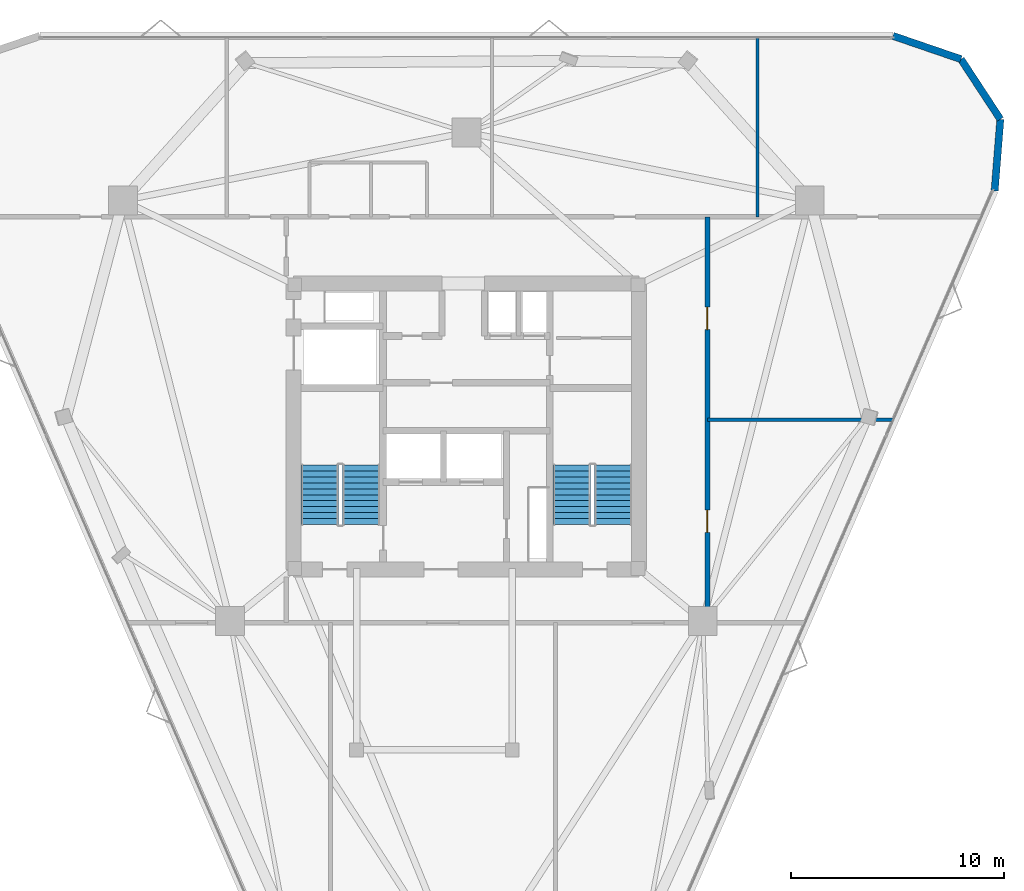
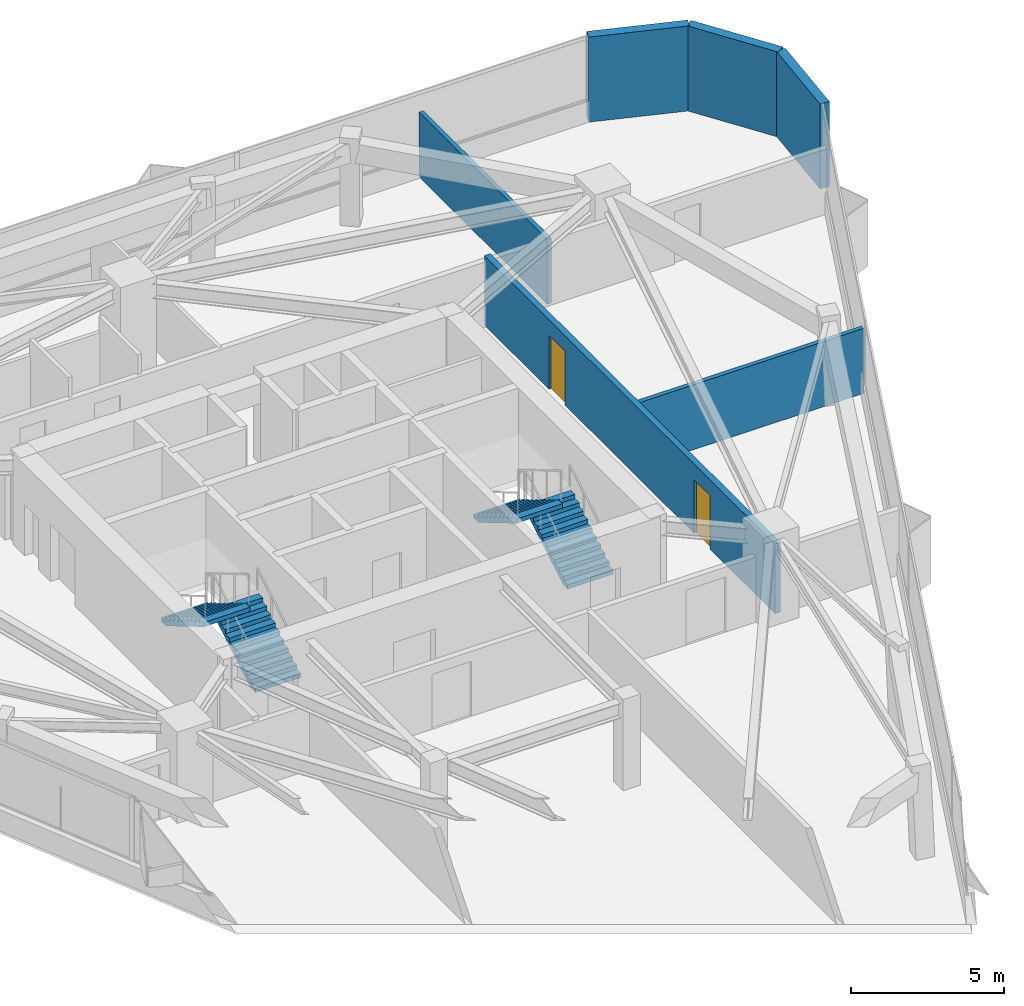
# One storey, part 11 of 12: 6 walls, 4 stair flights, 2 doors, 2 openings, 2 elements without a shape of their own.
"""IFC4 building model written with IfcOpenShell, lengths in metres."""

import ifcopenshell
import ifcopenshell.guid

model = None  # the IFC model being written
_history = None  # IfcOwnerHistory: only IFC2X3 demands one
_inside = {}  # id of a spatial element -> (the spatial element, [elements in it])
_under = {}  # id of a project, library or spatial element -> (it, [spatial elements below it])
_declared = {}  # id of a project -> (the project, [libraries it declares])
_typed = {}  # id of a type object -> (the type object, [elements of that type])
_made_of = {}  # id of a material, layer set ... -> (it, [elements and type objects made of it])


def new_model(schema):
    """Start an empty IFC model of exactly this schema.

    Asked for "IFC4X3", IfcOpenShell would pick the latest addendum, in which some entities
    have other attributes; the version numbers below select the first issue.
    IFC2X3 requires an IfcOwnerHistory on every rooted entity: one is made here for all.
    """
    global model, _history
    if schema == "IFC4X3":
        model = ifcopenshell.file(schema_version=(4, 3, 0, 0))
    else:
        model = ifcopenshell.file(schema=schema)
    _inside.clear()
    _under.clear()
    _declared.clear()
    _typed.clear()
    _made_of.clear()
    _history = None
    if model.schema == "IFC2X3":
        org = make("IfcOrganization", Name="unknown")
        user = make(
            "IfcPersonAndOrganization",
            ThePerson=make("IfcPerson", FamilyName="unknown"),
            TheOrganization=org,
        )
        app = make(
            "IfcApplication",
            ApplicationDeveloper=org,
            Version="unknown",
            ApplicationFullName="unknown",
            ApplicationIdentifier="unknown",
        )
        _history = make(
            "IfcOwnerHistory",
            OwningUser=user,
            OwningApplication=app,
            ChangeAction="ADDED",
            CreationDate=0,
        )
    return model


def make(cls, **values):
    """One entity of the class cls with the attributes given. An attribute that is None is left unset."""
    return model.create_entity(
        cls, **{name: value for name, value in values.items() if value is not None}
    )


def rooted(cls, **values):
    """An entity with a GlobalId (a new one), such as an element, a storey or a relation."""
    return make(cls, GlobalId=ifcopenshell.guid.new(), OwnerHistory=_history, **values)


def si_unit(unit_type, name, prefix=None):
    """IfcSIUnit, for example si_unit("LENGTHUNIT", "METRE", prefix="MILLI")."""
    return make("IfcSIUnit", UnitType=unit_type, Prefix=prefix, Name=name)


def assignment(units):
    """IfcUnitAssignment: the units of a project."""
    return None if units is None else make("IfcUnitAssignment", Units=units)


def point(xyz):
    """IfcCartesianPoint."""
    return None if xyz is None else make("IfcCartesianPoint", Coordinates=xyz)


def direction(xyz):
    """IfcDirection."""
    return None if xyz is None else make("IfcDirection", DirectionRatios=xyz)


def frame(location, z_axis=None, x_axis=None):
    """IfcAxis2Placement3D, a coordinate frame: its origin and axes. An axis left out is left unset."""
    return make(
        "IfcAxis2Placement3D",
        Location=point(location),
        Axis=direction(z_axis),
        RefDirection=direction(x_axis),
    )


def frame_2d(location, x_axis=None):
    """IfcAxis2Placement2D, a coordinate frame in the plane: its origin and x axis."""
    return make(
        "IfcAxis2Placement2D", Location=point(location), RefDirection=direction(x_axis)
    )


def origin():
    """The frame at (0, 0, 0) with its axes left unset."""
    return frame((0.0, 0.0, 0.0))


def place(relative_to, where):
    """IfcLocalPlacement: puts the frame where relative to a parent placement (None: the world)."""
    return make(
        "IfcLocalPlacement", PlacementRelTo=relative_to, RelativePlacement=where
    )


def context(
    kind, dimensions, precision=None, world=None, true_north=None, identifier=None
):
    """IfcGeometricRepresentationContext, for example the 3D "Model" context."""
    return make(
        "IfcGeometricRepresentationContext",
        ContextIdentifier=identifier,
        ContextType=kind,
        CoordinateSpaceDimension=dimensions,
        Precision=precision,
        WorldCoordinateSystem=world,
        TrueNorth=true_north,
    )


def subcontext(parent, identifier, kind, view, scale=None):
    """IfcGeometricRepresentationSubContext, for example "Body" below "Model"."""
    return make(
        "IfcGeometricRepresentationSubContext",
        ContextIdentifier=identifier,
        ContextType=kind,
        ParentContext=parent,
        TargetScale=scale,
        TargetView=view,
    )


def project(units=None, contexts=None):
    """IfcProject with its units and contexts."""
    return rooted(
        "IfcProject",
        Name="project",
        RepresentationContexts=contexts,
        UnitsInContext=assignment(units),
    )


def spatial(cls, under=None, at=None, **own):
    """A site, building, storey or space (cls), placed at a placement, below another one or the project."""
    s = rooted(cls, ObjectPlacement=at, **own)
    if under is not None:
        _under.setdefault(under.id(), (under, []))[1].append(s)
    return s


def polyline(points):
    """IfcPolyline through the points."""
    return make("IfcPolyline", Points=[point(p) for p in points])


def profile(cls, at=None, kind="AREA", **sizes):
    """A parametric profile (cls). Its sizes go by their IFC names, for example OverallWidth=200.0."""
    return make(cls, ProfileType=kind, Position=at, **sizes)


def rectangle(**sizes):
    """IfcRectangleProfileDef."""
    return profile("IfcRectangleProfileDef", **sizes)


def outline(outer, holes=None, kind="AREA"):
    """IfcArbitraryClosedProfileDef: a profile drawn as a closed curve; with holes, ...WithVoids."""
    if holes is None:
        return make("IfcArbitraryClosedProfileDef", ProfileType=kind, OuterCurve=outer)
    return make(
        "IfcArbitraryProfileDefWithVoids",
        ProfileType=kind,
        OuterCurve=outer,
        InnerCurves=holes,
    )


def extrude(swept, where, along, depth):
    """IfcExtrudedAreaSolid: the profile swept, set in the frame where, extruded along a direction by depth."""
    return make(
        "IfcExtrudedAreaSolid",
        SweptArea=swept,
        Position=where,
        ExtrudedDirection=direction(along),
        Depth=depth,
    )


def shape(context_of_items, identifier, shape_type, items):
    """IfcShapeRepresentation: the items that make up one representation, for example the "Body"."""
    return make(
        "IfcShapeRepresentation",
        ContextOfItems=context_of_items,
        RepresentationIdentifier=identifier,
        RepresentationType=shape_type,
        Items=items,
    )


def material(Name=None, Category=None):
    """IfcMaterial."""
    return make("IfcMaterial", Name=Name, Category=Category)


def layer(
    of_material, thickness, ventilated=None, Name=None, Category=None, Priority=None
):
    """IfcMaterialLayer: one layer of a wall or slab, of a material (None: an air gap)."""
    return make(
        "IfcMaterialLayer",
        Material=of_material,
        LayerThickness=thickness,
        IsVentilated=ventilated,
        Name=Name,
        Category=Category,
        Priority=Priority,
    )


def layer_set(layers, Name=None):
    """IfcMaterialLayerSet."""
    return make("IfcMaterialLayerSet", MaterialLayers=layers, LayerSetName=Name)


def made_of(thing, what):
    """Note that an element or type object is made of a material, layer set ...; save() writes the relation."""
    if what is not None:
        _made_of.setdefault(what.id(), (what, []))[1].append(thing)
    return thing


def type_object(cls, material=None, **own):
    """A type object (cls), such as IfcWallType, which elements share."""
    return made_of(rooted(cls, **own), material)


def element(
    cls,
    number,
    at=None,
    inside=None,
    cuts=None,
    type_object=None,
    material=None,
    context=None,
    identifier="Body",
    shape_type=None,
    held_by="IfcProductDefinitionShape",
    body=None,
    shapes=None,
    **own,
):
    """One element of the class cls, such as IfcWall. Its Tag is "e" and its number.

    at: its placement. inside: the storey or other place that contains it. cuts: it is an
    opening in that element (IfcRelVoidsElement). A single representation is given by context,
    identifier, shape_type and body (its items); several are given by shapes. held_by: the class
    of the entity that holds the representations. save() writes the other relations.
    """
    e = rooted(cls, Tag="e%d" % number, ObjectPlacement=at, **own)
    if body is not None:
        shapes = [shape(context, identifier, shape_type, body)]
    if shapes is not None:
        e.Representation = make(held_by, Representations=shapes)
    if inside is not None:
        _inside.setdefault(inside.id(), (inside, []))[1].append(e)
    if cuts is not None:
        rooted(
            "IfcRelVoidsElement", RelatingBuildingElement=cuts, RelatedOpeningElement=e
        )
    if type_object is not None:
        _typed.setdefault(type_object.id(), (type_object, []))[1].append(e)
    return made_of(e, material)


def fill(opening, filler):
    """IfcRelFillsElement: the door or window that sits in an opening."""
    return rooted(
        "IfcRelFillsElement",
        RelatingOpeningElement=opening,
        RelatedBuildingElement=filler,
    )


def aggregate(whole, parts):
    """IfcRelAggregates: a whole, such as a stair, and the parts it consists of."""
    return rooted("IfcRelAggregates", RelatingObject=whole, RelatedObjects=parts)


def save(model, path):
    """Write the relations noted so far, then the file.

    IfcRelAggregates (storeys below a building ...), IfcRelContainedInSpatialStructure (elements
    in a storey), IfcRelDefinesByType, IfcRelAssociatesMaterial and IfcRelDeclares: one each for
    every whole, place, type object, material and project.
    """
    for whole, parts in _under.values():
        aggregate(whole, parts)
    for where, things in _inside.values():
        rooted(
            "IfcRelContainedInSpatialStructure",
            RelatedElements=things,
            RelatingStructure=where,
        )
    for kind, things in _typed.values():
        rooted("IfcRelDefinesByType", RelatedObjects=things, RelatingType=kind)
    for what, things in _made_of.values():
        rooted("IfcRelAssociatesMaterial", RelatedObjects=things, RelatingMaterial=what)
    for by, libraries in _declared.values():
        rooted("IfcRelDeclares", RelatingContext=by, RelatedDefinitions=libraries)
    model.write(path)


model = new_model("IFC4")

# Units and contexts
model_context = context("Model", 3, precision=1e-05, world=origin(), true_north=direction((0.0, 1.0)))
body_context = subcontext(model_context, "Body", "Model", "MODEL_VIEW")
ifc_project = project(units=[si_unit("LENGTHUNIT", "METRE"), si_unit("AREAUNIT", "SQUARE_METRE"), si_unit("VOLUMEUNIT", "CUBIC_METRE"), si_unit("PLANEANGLEUNIT", "RADIAN"), si_unit("MASSUNIT", "GRAM", prefix="KILO")], contexts=[model_context])

# Site, building, storey
site_placement = place(None, origin())
site = spatial("IfcSite", under=ifc_project, at=site_placement, CompositionType="ELEMENT")
building_placement = place(site_placement, origin())
building = spatial("IfcBuilding", under=site, at=building_placement, Name="Talyreon Biosciences Tower", CompositionType="ELEMENT")
storey_placement = place(building_placement, frame((0.0, 0.0, 215.89990234375)))
storey = spatial("IfcBuildingStorey", under=building, at=storey_placement, Name="L57", CompositionType="ELEMENT", Elevation=215.89990234375)

# Wall, openings, doors
ifc_material_1 = material(Name="Gypsum fireboard acoustic stud", Category="gypsum")
ifc_layer_1 = layer(ifc_material_1, 0.219970703125)
ifc_layer_set_1 = layer_set([ifc_layer_1], Name="Gypsum fireboard acoustic stud")
wall_type_1 = type_object("IfcWallType", Name="CorridorRatedPartition_220", PredefinedType="PARTITIONING", material=ifc_layer_set_1)
wall_1_placement = place(storey_placement, frame((77.300048828125, 58.800048828125, 0.0), z_axis=(0.0, 0.0, 1.0), x_axis=(0.0, 1.0, 0.0)))
wall_1 = element("IfcWall", 1, at=wall_1_placement, inside=storey, type_object=wall_type_1, Name="L57 Interior Wall IW-L57-COR-E", PredefinedType="PARTITIONING", context=body_context, shape_type="SweptSolid", body=[
    extrude(rectangle(XDim=19.030029296875, YDim=0.219970703125, at=frame_2d((9.51513671875, 0.0))), origin(), (0.0, 0.0, 1.0), 2.780029296875),
])
opening_1_placement = place(wall_1_placement, frame((4.23291015625, 0.0, 0.0)))
opening_1 = element("IfcOpeningElement", 2, at=opening_1_placement, cuts=wall_1, Name="Opening DR-L57-E1A", PredefinedType="OPENING", context=body_context, shape_type="SweptSolid", body=[
    extrude(rectangle(XDim=1.050048828125, YDim=2.14990234375, at=frame_2d((0.52490234375, 1.074951171875))), frame((0.0, 0.119873046875, 0.0), z_axis=(0.0, -1.0, 0.0), x_axis=(1.0, 0.0, 0.0)), (0.0, 0.0, 1.0), 0.239990234375),
])
opening_2_placement = place(wall_1_placement, frame((13.748046875, 0.0, 0.0)))
opening_2 = element("IfcOpeningElement", 3, at=opening_2_placement, cuts=wall_1, Name="Opening DR-L57-E2A", PredefinedType="OPENING", context=body_context, shape_type="SweptSolid", body=[
    extrude(rectangle(XDim=1.050048828125, YDim=2.14990234375, at=frame_2d((0.52490234375, 1.074951171875))), frame((0.0, 0.119873046875, 0.0), z_axis=(0.0, -1.0, 0.0), x_axis=(1.0, 0.0, 0.0)), (0.0, 0.0, 1.0), 0.239990234375),
])
ifc_material_2 = material(Name="Acoustic timber-core laboratory door", Category="wood")
door_type = type_object("IfcDoorType", Name="DryLabSingleDoor_1050x2150", OperationType="NOTDEFINED", PredefinedType="DOOR", material=ifc_material_2)
door_1_placement = place(opening_1_placement, origin())
door_1 = element("IfcDoor", 4, at=door_1_placement, inside=storey, type_object=door_type, Name="L57 Interior Door DR-L57-E1A", OperationType="SINGLE_SWING_LEFT", OverallHeight=2.14990234375, OverallWidth=1.050048828125, PredefinedType="DOOR", context=body_context, shape_type="SweptSolid", body=[
    extrude(rectangle(XDim=1.050048828125, YDim=2.14990234375, at=frame_2d((0.52490234375, 1.074951171875))), frame((0.0, 0.02490234375, 0.0), z_axis=(0.0, -1.0, 0.0), x_axis=(1.0, 0.0, 0.0)), (0.0, 0.0, 1.0), 0.050048828125),
])
fill(opening_1, door_1)
door_2_placement = place(opening_2_placement, origin())
door_2 = element("IfcDoor", 5, at=door_2_placement, inside=storey, type_object=door_type, Name="L57 Interior Door DR-L57-E2A", OperationType="SINGLE_SWING_RIGHT", OverallHeight=2.14990234375, OverallWidth=1.050048828125, PredefinedType="DOOR", context=body_context, shape_type="SweptSolid", body=[
    extrude(rectangle(XDim=1.050048828125, YDim=2.14990234375, at=frame_2d((0.52490234375, 1.074951171875))), frame((0.0, 0.02490234375, 0.0), z_axis=(0.0, -1.0, 0.0), x_axis=(1.0, 0.0, 0.0)), (0.0, 0.0, 1.0), 0.050048828125),
])
fill(opening_2, door_2)

# Walls
ifc_material_3 = material(Name="Gypsum acoustic stud partition", Category="gypsum")
ifc_layer_2 = layer(ifc_material_3, 0.159912109375)
ifc_layer_set_2 = layer_set([ifc_layer_2], Name="Gypsum acoustic stud partition")
wall_type_2 = type_object("IfcWallType", Name="LabSeparationPartition_160", PredefinedType="PARTITIONING", material=ifc_layer_set_2)
wall_2_placement = place(storey_placement, frame((79.64697265625, 77.830078125, 0.0), z_axis=(0.0, 0.0, 1.0), x_axis=(0.0, 1.0, 0.0)))
element("IfcWall", 6, at=wall_2_placement, inside=storey, type_object=wall_type_2, Name="L57 Interior Wall IW-L57-NDIV3", PredefinedType="PARTITIONING", context=body_context, shape_type="SweptSolid", body=[
    extrude(rectangle(XDim=8.4033203125, YDim=0.159912109375, at=frame_2d((4.20166015625, 0.0))), origin(), (0.0, 0.0, 1.0), 2.60009765625),
])
wall_3_placement = place(storey_placement, frame((77.300048828125, 68.31494140625, 0.0), z_axis=(0.0, 0.0, 1.0), x_axis=(1.0, 0.0, 0.0)))
element("IfcWall", 7, at=wall_3_placement, inside=storey, type_object=wall_type_2, Name="L57 Interior Wall IW-L57-EDIV1", PredefinedType="PARTITIONING", context=body_context, shape_type="SweptSolid", body=[
    extrude(rectangle(XDim=8.7158203125, YDim=0.159912109375, at=frame_2d((4.35791015625, 0.0))), origin(), (0.0, 0.0, 1.0), 2.60009765625),
])
ifc_material_4 = material(Name="Precast concrete C45/55", Category="concrete")
ifc_layer_3 = layer(ifc_material_4, 0.340087890625)
ifc_layer_set_3 = layer_set([ifc_layer_3], Name="Precast concrete C45/55")
wall_type_3 = type_object("IfcWallType", Name="PrecastConcreteSpandrelWall_340", PredefinedType="STANDARD", material=ifc_layer_set_3)
wall_4_placement = place(storey_placement, frame((86.0, 86.318359375, 0.0), z_axis=(0.0, 0.0, 1.0), x_axis=(0.946021467082, -0.324103970693, 0.0)))
element("IfcWall", 8, at=wall_4_placement, inside=storey, type_object=wall_type_3, Name="L57 Rounded-Corner Concrete Pier 05", PredefinedType="STANDARD", context=body_context, shape_type="SweptSolid", body=[
    extrude(rectangle(XDim=3.370849609375, YDim=0.340087890625, at=frame_2d((1.685546875, 0.0))), origin(), (0.0, 0.0, 1.0), 3.400146484375),
])
wall_5_placement = place(storey_placement, frame((89.18896484375, 85.225830078125, 0.0), z_axis=(0.0, 0.0, 1.0), x_axis=(0.548450776456, -0.836182842329, 0.0)))
element("IfcWall", 9, at=wall_5_placement, inside=storey, type_object=wall_type_3, Name="L57 Rounded-Corner Concrete Pier 06", PredefinedType="STANDARD", context=body_context, shape_type="SweptSolid", body=[
    extrude(rectangle(XDim=3.37109375, YDim=0.340087890625, at=frame_2d((1.685546875, 0.0))), origin(), (0.0, 0.0, 1.0), 3.400146484375),
])
wall_6_placement = place(storey_placement, frame((91.037841796875, 82.406982421875, 0.0), z_axis=(0.0, 0.0, 1.0), x_axis=(-0.079598407838, -0.996827012811, 0.0)))
element("IfcWall", 10, at=wall_6_placement, inside=storey, type_object=wall_type_3, Name="L57 Rounded-Corner Concrete Pier 07", PredefinedType="STANDARD", context=body_context, shape_type="SweptSolid", body=[
    extrude(rectangle(XDim=3.370849609375, YDim=0.340087890625, at=frame_2d((1.685546875, 0.0))), origin(), (0.0, 0.0, 1.0), 3.400146484375),
])

# Stair, stair flights
ifc_material_5 = material(Name="Concrete C40/50", Category="concrete")
stair_type = type_object("IfcStairType", Name="DoglegEscapeStair_3650", PredefinedType="HALF_TURN_STAIR", material=ifc_material_5)
stair_1_placement = place(storey_placement, origin())
stair_1 = element("IfcStair", 11, at=stair_1_placement, inside=storey, type_object=stair_type, Name="L57 Core Escape Stair 1", PredefinedType="HALF_TURN_STAIR")
stair_flight_type = type_object("IfcStairFlightType", Name="PrecastStairFlight_3650", PredefinedType="STRAIGHT", material=ifc_material_5)
stair_flight_1_placement = place(storey_placement, frame((61.06005859375, 63.39990234375, 0.0), z_axis=(0.0, 0.0, 1.0), x_axis=(0.0, 1.0, 0.0)))
stair_flight_1 = element("IfcStairFlight", 12, at=stair_flight_1_placement, type_object=stair_flight_type, Name="ST-1 flight 1", NumberOfRisers=11, NumberOfTreads=10, PredefinedType="STRAIGHT", RiserHeight=0.165909091, TreadLength=0.28, context=body_context, shape_type="SweptSolid", body=[
    extrude(outline(polyline([(0.0, 0.0), (0.0, 0.166015625), (0.280029296875, 0.166015625), (0.280029296875, 0.331787109375), (0.56005859375, 0.331787109375), (0.56005859375, 0.497802734375), (0.840087890625, 0.497802734375), (0.840087890625, 0.66357421875), (1.1201171875, 0.66357421875), (1.1201171875, 0.82958984375), (1.39990234375, 0.82958984375), (1.39990234375, 0.995361328125), (1.679931640625, 0.995361328125), (1.679931640625, 1.161376953125), (1.9599609375, 1.161376953125), (1.9599609375, 1.327392578125), (2.239990234375, 1.327392578125), (2.239990234375, 1.4931640625), (2.52001953125, 1.4931640625), (2.52001953125, 1.6591796875), (2.800048828125, 1.6591796875), (2.800048828125, 1.824951171875), (2.800048828125, 1.48486328125), (0.2939453125, 0.0), (0.0, 0.0)])), frame((0.0, 0.8701171875, 0.0), z_axis=(0.0, -1.0, 0.0), x_axis=(1.0, 0.0, 0.0)), (0.0, 0.0, 1.0), 1.739990234375),
])
stair_flight_2_placement = place(storey_placement, frame((59.1201171875, 66.199951171875, 1.8251953125), z_axis=(0.0, 0.0, 1.0), x_axis=(0.0, -1.0, 0.0)))
stair_flight_2 = element("IfcStairFlight", 13, at=stair_flight_2_placement, type_object=stair_flight_type, Name="ST-1 flight 2", NumberOfRisers=11, NumberOfTreads=10, PredefinedType="STRAIGHT", RiserHeight=0.165909091, TreadLength=0.28, context=body_context, shape_type="SweptSolid", body=[
    extrude(outline(polyline([(0.0, 0.0), (0.0, 0.166015625), (0.280029296875, 0.166015625), (0.280029296875, 0.331787109375), (0.56005859375, 0.331787109375), (0.56005859375, 0.497802734375), (0.840087890625, 0.497802734375), (0.840087890625, 0.66357421875), (1.1201171875, 0.66357421875), (1.1201171875, 0.82958984375), (1.39990234375, 0.82958984375), (1.39990234375, 0.995361328125), (1.679931640625, 0.995361328125), (1.679931640625, 1.161376953125), (1.9599609375, 1.161376953125), (1.9599609375, 1.327392578125), (2.239990234375, 1.327392578125), (2.239990234375, 1.4931640625), (2.52001953125, 1.4931640625), (2.52001953125, 1.6591796875), (2.800048828125, 1.6591796875), (2.800048828125, 1.824951171875), (2.800048828125, 1.48486328125), (0.2939453125, 0.0), (0.0, 0.0)])), frame((0.0, 0.8701171875, 0.0), z_axis=(0.0, -1.0, 0.0), x_axis=(1.0, 0.0, 0.0)), (0.0, 0.0, 1.0), 1.739990234375),
])
aggregate(stair_1, [stair_flight_1, stair_flight_2])

stair_2_placement = place(storey_placement, origin())
stair_2 = element("IfcStair", 14, at=stair_2_placement, inside=storey, type_object=stair_type, Name="L57 Core Escape Stair 2", PredefinedType="HALF_TURN_STAIR")
stair_flight_3_placement = place(storey_placement, frame((72.8798828125, 63.39990234375, 0.0), z_axis=(0.0, 0.0, 1.0), x_axis=(0.0, 1.0, 0.0)))
stair_flight_3 = element("IfcStairFlight", 15, at=stair_flight_3_placement, type_object=stair_flight_type, Name="ST-2 flight 1", NumberOfRisers=11, NumberOfTreads=10, PredefinedType="STRAIGHT", RiserHeight=0.165909091, TreadLength=0.28, context=body_context, shape_type="SweptSolid", body=[
    extrude(outline(polyline([(0.0, 0.0), (0.0, 0.166015625), (0.280029296875, 0.166015625), (0.280029296875, 0.331787109375), (0.56005859375, 0.331787109375), (0.56005859375, 0.497802734375), (0.840087890625, 0.497802734375), (0.840087890625, 0.66357421875), (1.1201171875, 0.66357421875), (1.1201171875, 0.82958984375), (1.39990234375, 0.82958984375), (1.39990234375, 0.995361328125), (1.679931640625, 0.995361328125), (1.679931640625, 1.161376953125), (1.9599609375, 1.161376953125), (1.9599609375, 1.327392578125), (2.239990234375, 1.327392578125), (2.239990234375, 1.4931640625), (2.52001953125, 1.4931640625), (2.52001953125, 1.6591796875), (2.800048828125, 1.6591796875), (2.800048828125, 1.824951171875), (2.800048828125, 1.48486328125), (0.2939453125, 0.0), (0.0, 0.0)])), frame((0.0, 0.8701171875, 0.0), z_axis=(0.0, -1.0, 0.0), x_axis=(1.0, 0.0, 0.0)), (0.0, 0.0, 1.0), 1.739990234375),
])
stair_flight_4_placement = place(storey_placement, frame((70.93994140625, 66.199951171875, 1.8251953125), z_axis=(0.0, 0.0, 1.0), x_axis=(0.0, -1.0, 0.0)))
stair_flight_4 = element("IfcStairFlight", 16, at=stair_flight_4_placement, type_object=stair_flight_type, Name="ST-2 flight 2", NumberOfRisers=11, NumberOfTreads=10, PredefinedType="STRAIGHT", RiserHeight=0.165909091, TreadLength=0.28, context=body_context, shape_type="SweptSolid", body=[
    extrude(outline(polyline([(0.0, 0.0), (0.0, 0.166015625), (0.280029296875, 0.166015625), (0.280029296875, 0.331787109375), (0.56005859375, 0.331787109375), (0.56005859375, 0.497802734375), (0.840087890625, 0.497802734375), (0.840087890625, 0.66357421875), (1.1201171875, 0.66357421875), (1.1201171875, 0.82958984375), (1.39990234375, 0.82958984375), (1.39990234375, 0.995361328125), (1.679931640625, 0.995361328125), (1.679931640625, 1.161376953125), (1.9599609375, 1.161376953125), (1.9599609375, 1.327392578125), (2.239990234375, 1.327392578125), (2.239990234375, 1.4931640625), (2.52001953125, 1.4931640625), (2.52001953125, 1.6591796875), (2.800048828125, 1.6591796875), (2.800048828125, 1.824951171875), (2.800048828125, 1.48486328125), (0.2939453125, 0.0), (0.0, 0.0)])), frame((0.0, 0.8701171875, 0.0), z_axis=(0.0, -1.0, 0.0), x_axis=(1.0, 0.0, 0.0)), (0.0, 0.0, 1.0), 1.739990234375),
])
aggregate(stair_2, [stair_flight_3, stair_flight_4])

save(model, "model.ifc")
